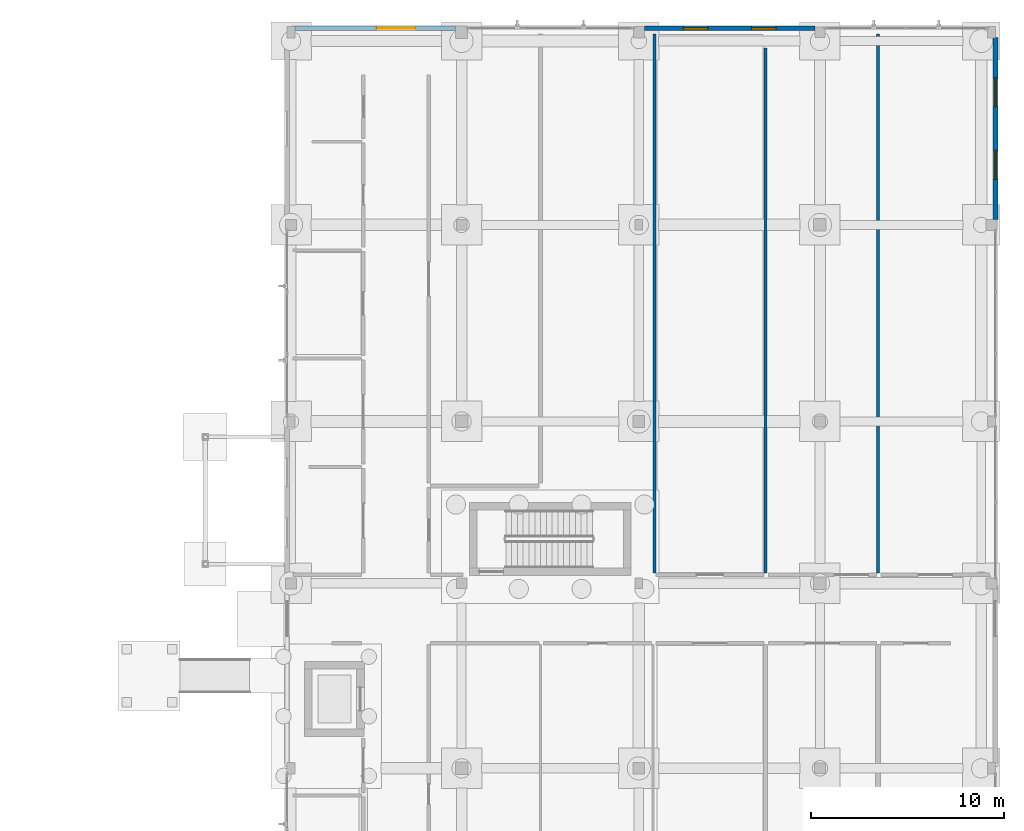
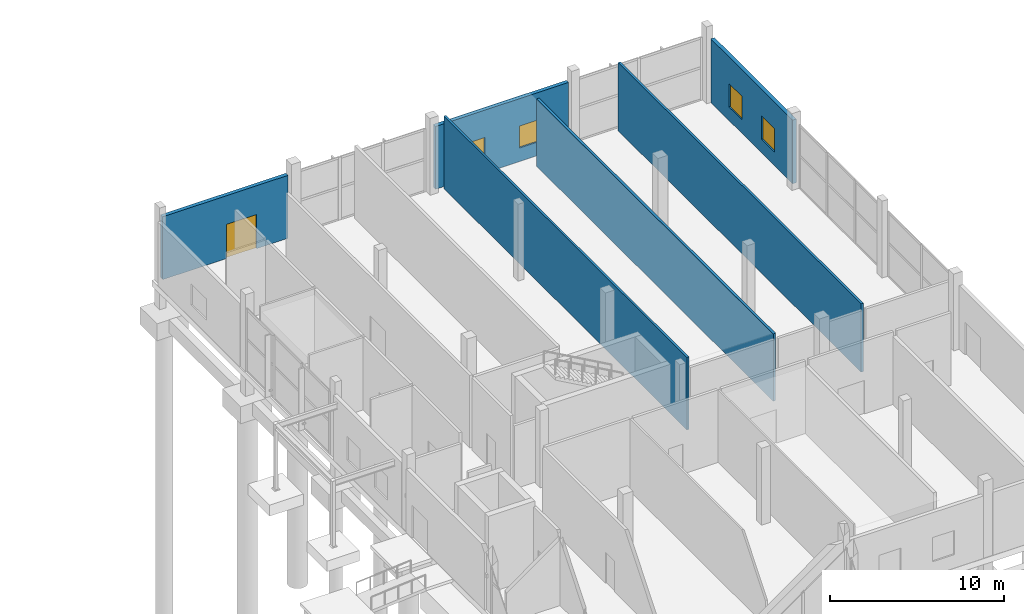
# One storey, part 70 of 88: 6 walls, 4 windows, 1 door, 5 openings.
"""IFC4 building model written with IfcOpenShell, lengths in metres."""

from ifc_helpers import new_model, si_unit, direction, frame, frame_2d, origin, place, context, subcontext, project, spatial, rectangle, extrude, material, layer, layer_set, type_object, element, fill, save


model = new_model("IFC4")

# Units and contexts
model_context = context("Model", 3, precision=1e-05, world=origin(), true_north=direction((0.0, 1.0)))
body_context = subcontext(model_context, "Body", "Model", "MODEL_VIEW")
ifc_project = project(units=[si_unit("LENGTHUNIT", "METRE"), si_unit("AREAUNIT", "SQUARE_METRE"), si_unit("VOLUMEUNIT", "CUBIC_METRE"), si_unit("PLANEANGLEUNIT", "RADIAN"), si_unit("MASSUNIT", "GRAM", prefix="KILO")], contexts=[model_context])

# Site, building, storey
site_placement = place(None, origin())
site = spatial("IfcSite", under=ifc_project, at=site_placement, CompositionType="ELEMENT")
building_placement = place(site_placement, origin())
building = spatial("IfcBuilding", under=site, at=building_placement, Name="Birchvale Park Specialist Clinic", CompositionType="ELEMENT")
storey_placement = place(building_placement, origin())
storey = spatial("IfcBuildingStorey", under=building, at=storey_placement, Name="L00", CompositionType="ELEMENT", Elevation=0.0)

# Wall, openings, windows
ifc_material_1 = material(Name="Lime-white mineral-rendered insulated masonry", Category="masonry")
ifc_layer_1 = layer(ifc_material_1, 0.25)
ifc_layer_set_1 = layer_set([ifc_layer_1], Name="Lime-white mineral-rendered insulated masonry")
wall_type_1 = type_object("IfcWallType", Name="WL-EW-05", PredefinedType="STANDARD", material=ifc_layer_set_1)
wall_1_placement = place(storey_placement, frame((164.905029296875, 101.68505859375, 0.0), z_axis=(0.0, 0.0, 1.0), x_axis=(0.0, 1.0, 0.0)))
wall_1 = element("IfcWall", 1, at=wall_1_placement, inside=storey, type_object=wall_type_1, Name="V6 L00 exterior facade wall 108", PredefinedType="STANDARD", context=body_context, shape_type="SweptSolid", body=[
    extrude(rectangle(XDim=9.429931640625, YDim=0.25, at=frame_2d((4.71484375, 0.0))), origin(), (0.0, 0.0, 1.0), 4.469970703125),
])
opening_1_placement = place(wall_1_placement, frame((2.0791015625, 0.0, 0.949951171875)))
opening_1 = element("IfcOpeningElement", 2, at=opening_1_placement, cuts=wall_1, Name="Opening W-CL03", PredefinedType="OPENING", context=body_context, shape_type="SweptSolid", body=[
    extrude(rectangle(XDim=1.5, YDim=1.64990234375, at=frame_2d((0.75, 0.824951171875))), frame((0.0, 0.135009765625, 0.0), z_axis=(0.0, -1.0, 0.0), x_axis=(1.0, 0.0, 0.0)), (0.0, 0.0, 1.0), 0.27001953125),
])
opening_2_placement = place(wall_1_placement, frame((5.85107421875, 0.0, 0.949951171875)))
opening_2 = element("IfcOpeningElement", 3, at=opening_2_placement, cuts=wall_1, Name="Opening W-CL03", PredefinedType="OPENING", context=body_context, shape_type="SweptSolid", body=[
    extrude(rectangle(XDim=1.5, YDim=1.64990234375, at=frame_2d((0.75, 0.824951171875))), frame((0.0, 0.135009765625, 0.0), z_axis=(0.0, -1.0, 0.0), x_axis=(1.0, 0.0, 0.0)), (0.0, 0.0, 1.0), 0.27001953125),
])
ifc_material_2 = material(Name="Solar-control low-E double glazing", Category="glass")
window_type_1 = type_object("IfcWindowType", Name="WIN-W-CL03", PartitioningType="SINGLE_PANEL", PredefinedType="WINDOW", material=ifc_material_2)
window_1_placement = place(opening_1_placement, origin())
window_1 = element("IfcWindow", 4, at=window_1_placement, inside=storey, type_object=window_type_1, Name="V6 L00 cased window 18", OverallHeight=1.64990234375, OverallWidth=1.5, PartitioningType="SINGLE_PANEL", PredefinedType="WINDOW", context=body_context, shape_type="SweptSolid", body=[
    extrude(rectangle(XDim=1.5, YDim=1.64990234375, at=frame_2d((0.75, 0.824951171875))), frame((0.0, 0.030029296875, 0.0), z_axis=(0.0, -1.0, 0.0), x_axis=(1.0, 0.0, 0.0)), (0.0, 0.0, 1.0), 0.06005859375),
])
fill(opening_1, window_1)
window_2_placement = place(opening_2_placement, origin())
window_2 = element("IfcWindow", 5, at=window_2_placement, inside=storey, type_object=window_type_1, Name="V6 L00 cased window 19", OverallHeight=1.64990234375, OverallWidth=1.5, PartitioningType="SINGLE_PANEL", PredefinedType="WINDOW", context=body_context, shape_type="SweptSolid", body=[
    extrude(rectangle(XDim=1.5, YDim=1.64990234375, at=frame_2d((0.75, 0.824951171875))), frame((0.0, 0.030029296875, 0.0), z_axis=(0.0, -1.0, 0.0), x_axis=(1.0, 0.0, 0.0)), (0.0, 0.0, 1.0), 0.06005859375),
])
fill(opening_2, window_2)

wall_2_placement = place(storey_placement, frame((155.5400390625, 111.60498046875, 0.0), z_axis=(0.0, 0.0, 1.0), x_axis=(-1.0, 0.0, 0.0)))
wall_2 = element("IfcWall", 6, at=wall_2_placement, inside=storey, type_object=wall_type_1, Name="V6 L00 exterior facade wall 109", PredefinedType="STANDARD", context=body_context, shape_type="SweptSolid", body=[
    extrude(rectangle(XDim=8.85498046875, YDim=0.25, at=frame_2d((4.427490234375, 0.0))), origin(), (0.0, 0.0, 1.0), 4.419921875),
])
opening_3_placement = place(wall_2_placement, frame((2.031494140625, 0.0, 0.949951171875)))
opening_3 = element("IfcOpeningElement", 7, at=opening_3_placement, cuts=wall_2, Name="Opening W-CL14", PredefinedType="OPENING", context=body_context, shape_type="SweptSolid", body=[
    extrude(rectangle(XDim=1.25, YDim=1.550048828125, at=frame_2d((0.625, 0.77490234375))), frame((0.0, 0.135009765625, 0.0), z_axis=(0.0, -1.0, 0.0), x_axis=(1.0, 0.0, 0.0)), (0.0, 0.0, 1.0), 0.27001953125),
])
opening_4_placement = place(wall_2_placement, frame((5.573486328125, 0.0, 0.949951171875)))
opening_4 = element("IfcOpeningElement", 8, at=opening_4_placement, cuts=wall_2, Name="Opening W-CL14", PredefinedType="OPENING", context=body_context, shape_type="SweptSolid", body=[
    extrude(rectangle(XDim=1.25, YDim=1.550048828125, at=frame_2d((0.625, 0.77490234375))), frame((0.0, 0.135009765625, 0.0), z_axis=(0.0, -1.0, 0.0), x_axis=(1.0, 0.0, 0.0)), (0.0, 0.0, 1.0), 0.27001953125),
])
window_type_2 = type_object("IfcWindowType", Name="WIN-W-CL14", PartitioningType="SINGLE_PANEL", PredefinedType="WINDOW", material=ifc_material_2)
window_3_placement = place(opening_3_placement, origin())
window_3 = element("IfcWindow", 9, at=window_3_placement, inside=storey, type_object=window_type_2, Name="V6 L00 cased window 20", OverallHeight=1.550048828125, OverallWidth=1.25, PartitioningType="SINGLE_PANEL", PredefinedType="WINDOW", context=body_context, shape_type="SweptSolid", body=[
    extrude(rectangle(XDim=1.25, YDim=1.550048828125, at=frame_2d((0.625, 0.77490234375))), frame((0.0, 0.030029296875, 0.0), z_axis=(0.0, -1.0, 0.0), x_axis=(1.0, 0.0, 0.0)), (0.0, 0.0, 1.0), 0.06005859375),
])
fill(opening_3, window_3)
window_4_placement = place(opening_4_placement, origin())
window_4 = element("IfcWindow", 10, at=window_4_placement, inside=storey, type_object=window_type_2, Name="V6 L00 cased window 21", OverallHeight=1.550048828125, OverallWidth=1.25, PartitioningType="SINGLE_PANEL", PredefinedType="WINDOW", context=body_context, shape_type="SweptSolid", body=[
    extrude(rectangle(XDim=1.25, YDim=1.550048828125, at=frame_2d((0.625, 0.77490234375))), frame((0.0, 0.030029296875, 0.0), z_axis=(0.0, -1.0, 0.0), x_axis=(1.0, 0.0, 0.0)), (0.0, 0.0, 1.0), 0.06005859375),
])
fill(opening_4, window_4)

# Wall, opening, door
wall_3_placement = place(storey_placement, frame((136.889892578125, 111.60498046875, 0.0), z_axis=(0.0, 0.0, 1.0), x_axis=(-1.0, 0.0, 0.0)))
wall_3 = element("IfcWall", 11, at=wall_3_placement, inside=storey, type_object=wall_type_1, Name="V6 L00 exterior facade wall 110", PredefinedType="STANDARD", context=body_context, shape_type="SweptSolid", body=[
    extrude(rectangle(XDim=8.3349609375, YDim=0.25, at=frame_2d((4.16748046875, 0.0))), origin(), (0.0, 0.0, 1.0), 4.419921875),
])
opening_5_placement = place(wall_3_placement, frame((2.090087890625, 0.0, 0.0)))
opening_5 = element("IfcOpeningElement", 12, at=opening_5_placement, cuts=wall_3, Name="Opening ED-02", PredefinedType="OPENING", context=body_context, shape_type="SweptSolid", body=[
    extrude(rectangle(XDim=2.0, YDim=2.39990234375, at=frame_2d((1.0, 1.199951171875))), frame((0.0, 0.135009765625, 0.0), z_axis=(0.0, -1.0, 0.0), x_axis=(1.0, 0.0, 0.0)), (0.0, 0.0, 1.0), 0.27001953125),
])
ifc_material_3 = material(Name="Powder-coated aluminium and laminated safety glass", Category="aluminium")
door_type = type_object("IfcDoorType", Name="DR-ED-02", OperationType="DOUBLE_DOOR_SINGLE_SWING", PredefinedType="DOOR", material=ifc_material_3)
door_placement = place(opening_5_placement, frame((2.0, 0.0, 0.0), z_axis=(0.0, 0.0, 1.0), x_axis=(-1.0, 0.0, 0.0)))
door = element("IfcDoor", 13, at=door_placement, inside=storey, type_object=door_type, Name="L00 V6 final exit double door 31", OperationType="DOUBLE_DOOR_SINGLE_SWING", OverallHeight=2.39990234375, OverallWidth=2.0, PredefinedType="DOOR", context=body_context, shape_type="SweptSolid", body=[
    extrude(rectangle(XDim=2.0, YDim=2.39990234375, at=frame_2d((1.0, 1.199951171875))), frame((0.0, 0.02490234375, 0.0), z_axis=(0.0, -1.0, 0.0), x_axis=(1.0, 0.0, 0.0)), (0.0, 0.0, 1.0), 0.050048828125),
])
fill(opening_5, door)

# Walls
ifc_material_4 = material(Name="Acoustic gypsum board on metal framing")
ifc_layer_2 = layer(ifc_material_4, 0.1650390625)
ifc_layer_set_2 = layer_set([ifc_layer_2], Name="Acoustic gypsum board on metal framing")
wall_type_2 = type_object("IfcWallType", Name="WL-IW-01", PredefinedType="PARTITIONING", material=ifc_layer_set_2)
wall_4_placement = place(storey_placement, frame((152.97412109375, 110.580078125, 0.0), z_axis=(0.0, 0.0, 1.0), x_axis=(0.0, -1.0, 0.0)))
element("IfcWall", 14, at=wall_4_placement, inside=storey, type_object=wall_type_2, Name="V6 L00 clinical partition 279", PredefinedType="PARTITIONING", context=body_context, shape_type="SweptSolid", body=[
    extrude(rectangle(XDim=27.25, YDim=0.1650390625, at=frame_2d((13.625, 0.0))), origin(), (0.0, 0.0, 1.0), 4.73388671875),
])
ifc_layer_3 = layer(ifc_material_4, 0.14990234375)
ifc_layer_set_3 = layer_set([ifc_layer_3], Name="Acoustic gypsum board on metal framing")
wall_type_3 = type_object("IfcWallType", Name="WL-IW-02", PredefinedType="PARTITIONING", material=ifc_layer_set_3)
wall_5_placement = place(storey_placement, frame((158.81201171875, 111.31005859375, 0.0), z_axis=(0.0, 0.0, 1.0), x_axis=(0.0, -1.0, 0.0)))
element("IfcWall", 15, at=wall_5_placement, inside=storey, type_object=wall_type_3, Name="V6 L00 clinical partition 282", PredefinedType="PARTITIONING", context=body_context, shape_type="SweptSolid", body=[
    extrude(rectangle(XDim=27.97998046875, YDim=0.14990234375, at=frame_2d((13.989990234375, 0.0))), origin(), (0.0, 0.0, 1.0), 4.803955078125),
])
ifc_layer_4 = layer(ifc_material_4, 0.139892578125)
ifc_layer_set_4 = layer_set([ifc_layer_4], Name="Acoustic gypsum board on metal framing")
wall_type_4 = type_object("IfcWallType", Name="WL-IW-03", PredefinedType="PARTITIONING", material=ifc_layer_set_4)
wall_6_placement = place(storey_placement, frame((147.216064453125, 83.330078125, 0.0), z_axis=(0.0, 0.0, 1.0), x_axis=(0.0, 1.0, 0.0)))
element("IfcWall", 16, at=wall_6_placement, inside=storey, type_object=wall_type_4, Name="V6 L00 clinical partition 281", PredefinedType="PARTITIONING", context=body_context, shape_type="SweptSolid", body=[
    extrude(rectangle(XDim=27.97998046875, YDim=0.139892578125, at=frame_2d((13.989990234375, 0.0))), origin(), (0.0, 0.0, 1.0), 5.10009765625),
])

save(model, "model.ifc")
